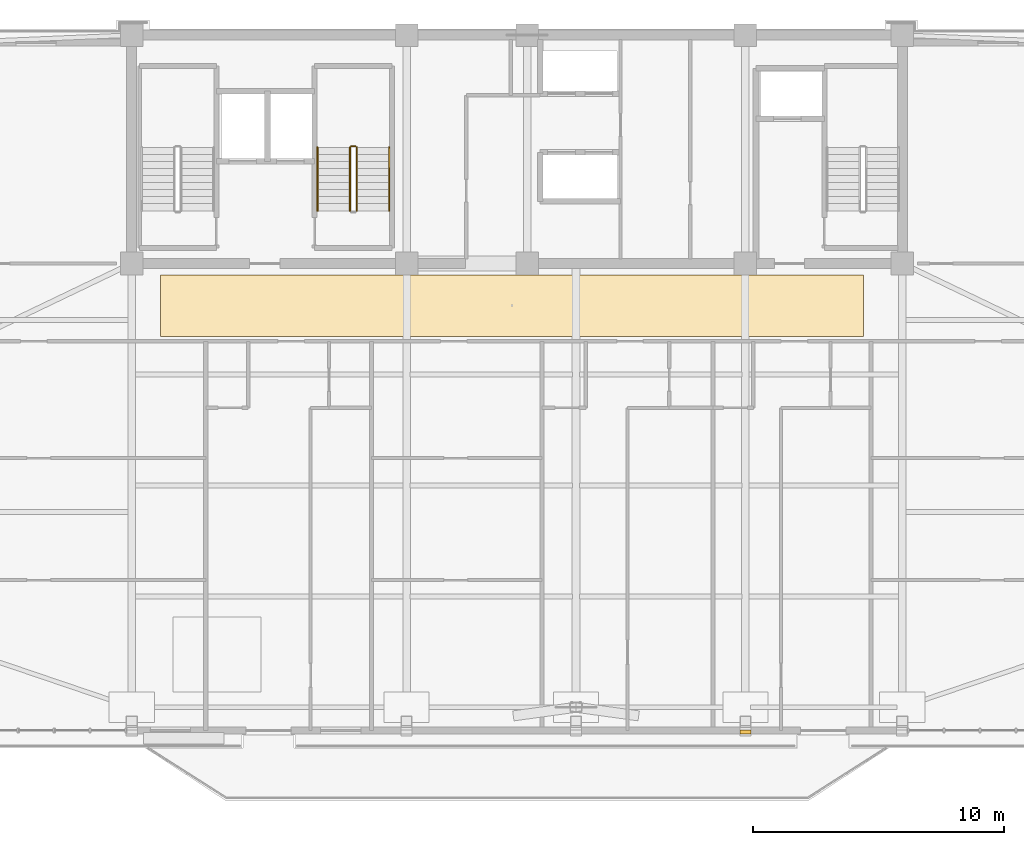
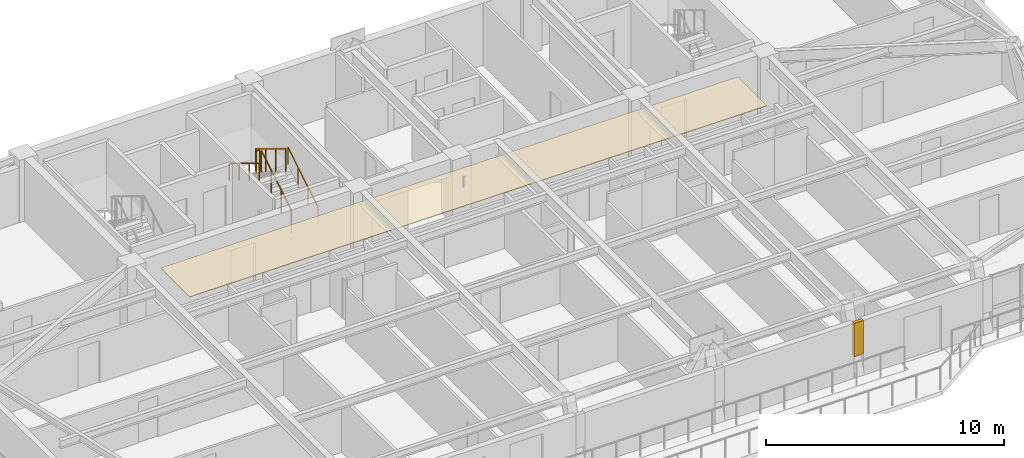
# One storey, part 14 of 15: 5 railings, 2 coverings.
"""IFC4 building model written with IfcOpenShell, lengths in metres."""

from ifc_helpers import new_model, si_unit, direction, frame, origin, origin_2d, place, context, subcontext, project, spatial, polyline, rectangle, outline, extrude, material, layer, layer_set, type_object, element, save


model = new_model("IFC4")

# Units and contexts
model_context = context("Model", 3, precision=1e-05, world=origin(), true_north=direction((0.0, 1.0)))
body_context = subcontext(model_context, "Body", "Model", "MODEL_VIEW")
ifc_project = project(units=[si_unit("LENGTHUNIT", "METRE"), si_unit("AREAUNIT", "SQUARE_METRE"), si_unit("VOLUMEUNIT", "CUBIC_METRE"), si_unit("PLANEANGLEUNIT", "RADIAN"), si_unit("MASSUNIT", "GRAM", prefix="KILO")], contexts=[model_context])

# Site, building, storey
site_placement = place(None, origin())
site = spatial("IfcSite", under=ifc_project, at=site_placement, CompositionType="ELEMENT")
building_placement = place(site_placement, origin())
building = spatial("IfcBuilding", under=site, at=building_placement, Name="Giltprow Tower", CompositionType="ELEMENT")
storey_placement = place(building_placement, frame((0.0, 0.0, 300.60009765625)))
storey = spatial("IfcBuildingStorey", under=building, at=storey_placement, Name="L77", CompositionType="ELEMENT", Elevation=300.60009765625)

# Coverings
ifc_material_1 = material(Name="Painted gypsum board", Category="gypsum")
ifc_layer_1 = layer(ifc_material_1, 0.030029296875, Name="Painted gypsum board")
ifc_layer_set_1 = layer_set([ifc_layer_1], Name="Painted gypsum board")
covering_type_1 = type_object("IfcCoveringType", Name="COV-CLG-GYPSUM", PredefinedType="CEILING", material=ifc_layer_set_1)
covering_1_placement = place(storey_placement, frame((0.0, 0.0, 2.619873046875)))
element("IfcCovering", 1, at=covering_1_placement, inside=storey, type_object=covering_type_1, Name="L77 Residence Gallery Ceiling", PredefinedType="CEILING", context=body_context, shape_type="SweptSolid", body=[
    extrude(outline(polyline([(21.0, 34.550048828125), (49.0, 34.550048828125), (49.0, 37.0), (21.0, 37.0), (21.0, 34.550048828125)])), origin(), (0.0, 0.0, 1.0), 0.030029296875),
])
ifc_material_2 = material(Name="Anodized bronze", Category="metal")
ifc_layer_2 = layer(ifc_material_2, 0.0400390625, Name="Anodized bronze")
ifc_layer_set_2 = layer_set([ifc_layer_2], Name="Anodized bronze")
covering_type_2 = type_object("IfcCoveringType", Name="COV-SOFFIT-BRONZE", PredefinedType="CLADDING", material=ifc_layer_set_2)
covering_2_placement = place(storey_placement, frame((0.0, 0.0, 1.099853515625)))
element("IfcCovering", 2, at=covering_2_placement, inside=storey, type_object=covering_type_2, Name="L77 Setback Pier Closure Cladding S-4", PredefinedType="CLADDING", context=body_context, shape_type="SweptSolid", body=[
    extrude(outline(polyline([(44.074951171875, 18.700927734375), (44.52490234375, 18.700927734375), (44.52490234375, 18.861083984375), (44.074951171875, 18.861083984375), (44.074951171875, 18.700927734375)])), origin(), (0.0, 0.0, 1.0), 1.715087890625),
])

# Railings
railing_type_1 = type_object("IfcRailingType", Name="RAIL-STAIR-GUARD-1200", PredefinedType="GUARDRAIL", material=ifc_material_2)
railing_1_placement = place(storey_placement, frame((28.81005859375, 39.550048828125, 0.169921875)))
element("IfcRailing", 3, at=railing_1_placement, inside=storey, type_object=railing_type_1, Name="L77 ST-2 stair guard 1", PredefinedType="GUARDRAIL", context=body_context, shape_type="SweptSolid", body=[
    extrude(rectangle(XDim=0.048095703125, YDim=0.048095703125, at=origin_2d()), frame((0.0, 0.0, 1.17578125), z_axis=(0.0, 0.85478489116, 0.518982456201), x_axis=(-1.0, 0.0, 0.0)), (0.0, 0.0, 1.0), 2.9482421875),
    extrude(rectangle(XDim=0.0419921875, YDim=0.0419921875, at=origin_2d()), origin(), (0.0, 0.0, 1.0), 1.15185546875),
    extrude(rectangle(XDim=0.0419921875, YDim=0.0419921875, at=origin_2d()), frame((0.0, 0.840087890625, 0.510009765625)), (0.0, 0.0, 1.0), 1.15185546875),
    extrude(rectangle(XDim=0.0419921875, YDim=0.0419921875, at=origin_2d()), frame((0.0, 1.679931640625, 1.02001953125)), (0.0, 0.0, 1.0), 1.15185546875),
    extrude(rectangle(XDim=0.0419921875, YDim=0.0419921875, at=origin_2d()), frame((0.0, 2.52001953125, 1.530029296875)), (0.0, 0.0, 1.0), 1.15185546875),
])
railing_2_placement = place(storey_placement, frame((28.760009765625, 42.1201171875, 1.699951171875)))
element("IfcRailing", 4, at=railing_2_placement, inside=storey, type_object=railing_type_1, Name="L77 ST-2 stair guard 2", PredefinedType="GUARDRAIL", context=body_context, shape_type="SweptSolid", body=[
    extrude(rectangle(XDim=0.048095703125, YDim=0.048095703125, at=origin_2d()), frame((0.0, 0.0, 1.17578125), z_axis=(-1.0, 0.0, 0.0), x_axis=(0.0, -1.0, 0.0)), (0.0, 0.0, 1.0), 0.159912109375),
    extrude(rectangle(XDim=0.0419921875, YDim=0.0419921875, at=origin_2d()), origin(), (0.0, 0.0, 1.0), 1.15185546875),
    extrude(rectangle(XDim=0.0419921875, YDim=0.0419921875, at=origin_2d()), frame((-0.159912109375, 0.0, 0.0)), (0.0, 0.0, 1.0), 1.15185546875),
])
railing_3_placement = place(storey_placement, frame((28.550048828125, 42.070068359375, 1.869873046875)))
element("IfcRailing", 5, at=railing_3_placement, inside=storey, type_object=railing_type_1, Name="L77 ST-2 stair guard 3", PredefinedType="GUARDRAIL", context=body_context, shape_type="SweptSolid", body=[
    extrude(rectangle(XDim=0.048095703125, YDim=0.048095703125, at=origin_2d()), frame((0.0, 0.0, 1.17578125), z_axis=(0.0, -0.85478489116, 0.518982456201), x_axis=(1.0, 0.0, 0.0)), (0.0, 0.0, 1.0), 2.9482421875),
    extrude(rectangle(XDim=0.0419921875, YDim=0.0419921875, at=origin_2d()), origin(), (0.0, 0.0, 1.0), 1.15185546875),
    extrude(rectangle(XDim=0.0419921875, YDim=0.0419921875, at=origin_2d()), frame((0.0, -0.840087890625, 0.510009765625)), (0.0, 0.0, 1.0), 1.15185546875),
    extrude(rectangle(XDim=0.0419921875, YDim=0.0419921875, at=origin_2d()), frame((0.0, -1.679931640625, 1.02001953125)), (0.0, 0.0, 1.0), 1.15185546875),
    extrude(rectangle(XDim=0.0419921875, YDim=0.0419921875, at=origin_2d()), frame((0.0, -2.52001953125, 1.530029296875)), (0.0, 0.0, 1.0), 1.15185546875),
])
railing_type_2 = type_object("IfcRailingType", Name="RAIL-STAIR-HAND-900", PredefinedType="HANDRAIL", material=ifc_material_2)
railing_4_placement = place(storey_placement, frame((30.110107421875, 39.550048828125, 0.169921875)))
element("IfcRailing", 6, at=railing_4_placement, inside=storey, type_object=railing_type_2, Name="L77 ST-2 stair handrail 1", PredefinedType="HANDRAIL", context=body_context, shape_type="SweptSolid", body=[
    extrude(rectangle(XDim=0.048095703125, YDim=0.048095703125, at=origin_2d()), frame((0.0, 0.0, 0.8759765625), z_axis=(0.0, 0.85478489116, 0.518982456201), x_axis=(-1.0, 0.0, 0.0)), (0.0, 0.0, 1.0), 2.9482421875),
    extrude(rectangle(XDim=0.0419921875, YDim=0.0419921875, at=origin_2d()), origin(), (0.0, 0.0, 1.0), 0.851806640625),
    extrude(rectangle(XDim=0.0419921875, YDim=0.0419921875, at=origin_2d()), frame((0.0, 0.840087890625, 0.510009765625)), (0.0, 0.0, 1.0), 0.851806640625),
    extrude(rectangle(XDim=0.0419921875, YDim=0.0419921875, at=origin_2d()), frame((0.0, 1.679931640625, 1.02001953125)), (0.0, 0.0, 1.0), 0.851806640625),
    extrude(rectangle(XDim=0.0419921875, YDim=0.0419921875, at=origin_2d()), frame((0.0, 2.52001953125, 1.530029296875)), (0.0, 0.0, 1.0), 0.851806640625),
])
railing_5_placement = place(storey_placement, frame((27.25, 42.070068359375, 1.869873046875)))
element("IfcRailing", 7, at=railing_5_placement, inside=storey, type_object=railing_type_2, Name="L77 ST-2 stair handrail 2", PredefinedType="HANDRAIL", context=body_context, shape_type="SweptSolid", body=[
    extrude(rectangle(XDim=0.048095703125, YDim=0.048095703125, at=origin_2d()), frame((0.0, 0.0, 0.8759765625), z_axis=(0.0, -0.85478489116, 0.518982456201), x_axis=(1.0, 0.0, 0.0)), (0.0, 0.0, 1.0), 2.9482421875),
    extrude(rectangle(XDim=0.0419921875, YDim=0.0419921875, at=origin_2d()), origin(), (0.0, 0.0, 1.0), 0.851806640625),
    extrude(rectangle(XDim=0.0419921875, YDim=0.0419921875, at=origin_2d()), frame((0.0, -0.840087890625, 0.510009765625)), (0.0, 0.0, 1.0), 0.851806640625),
    extrude(rectangle(XDim=0.0419921875, YDim=0.0419921875, at=origin_2d()), frame((0.0, -1.679931640625, 1.02001953125)), (0.0, 0.0, 1.0), 0.851806640625),
    extrude(rectangle(XDim=0.0419921875, YDim=0.0419921875, at=origin_2d()), frame((0.0, -2.52001953125, 1.530029296875)), (0.0, 0.0, 1.0), 0.851806640625),
])

save(model, "model.ifc")
